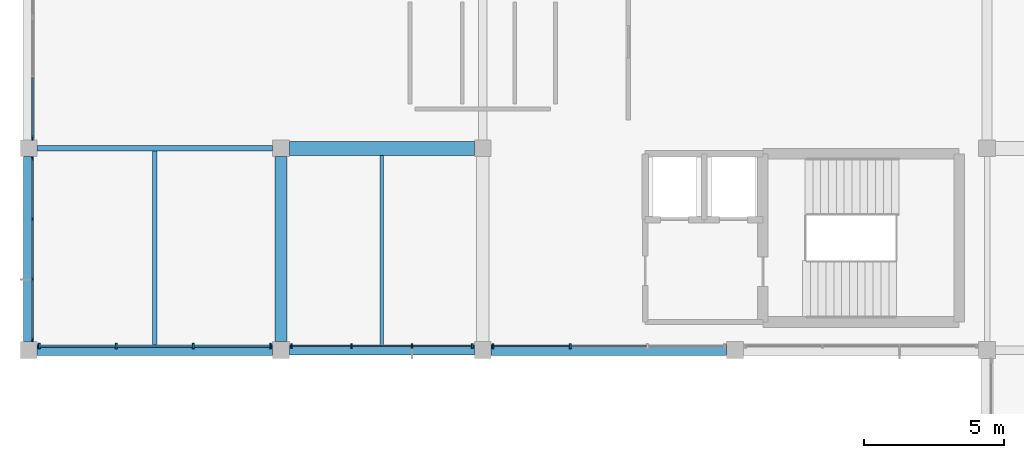
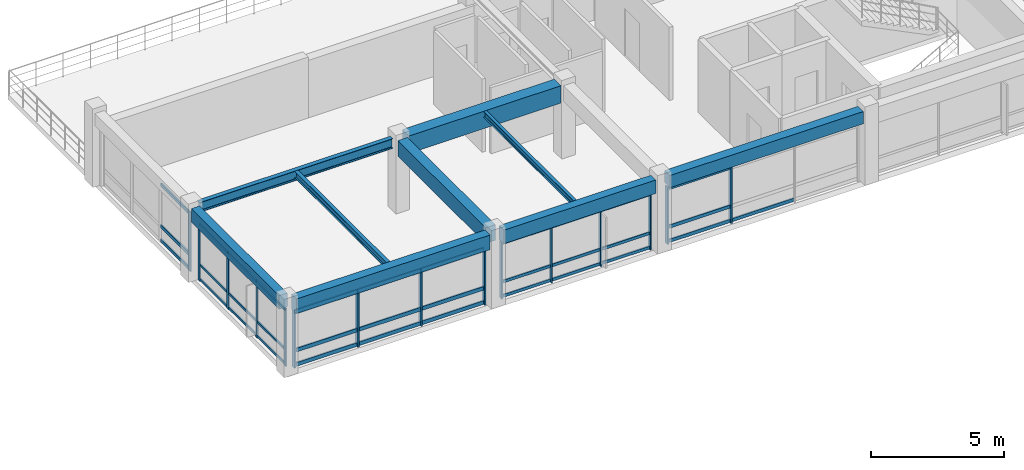
# One storey, part 2 of 12: 49 members, 9 beams, 5 elements without a shape of their own.
"""IFC4 building model written with IfcOpenShell, lengths in metres."""

from ifc_helpers import new_model, si_unit, direction, frame, origin, origin_2d, place, context, subcontext, project, spatial, rectangle, i_section, extrude, material, material_profile, profile_set, type_object, element, aggregate, save


model = new_model("IFC4")

# Units and contexts
model_context = context("Model", 3, precision=1e-05, world=origin(), true_north=direction((0.0, 1.0)))
body_context = subcontext(model_context, "Body", "Model", "MODEL_VIEW")
ifc_project = project(units=[si_unit("LENGTHUNIT", "METRE"), si_unit("AREAUNIT", "SQUARE_METRE"), si_unit("VOLUMEUNIT", "CUBIC_METRE"), si_unit("PLANEANGLEUNIT", "RADIAN"), si_unit("MASSUNIT", "GRAM", prefix="KILO")], contexts=[model_context])

# Site, building, storey
site_placement = place(None, origin())
site = spatial("IfcSite", under=ifc_project, at=site_placement, CompositionType="ELEMENT")
building_placement = place(site_placement, origin())
building = spatial("IfcBuilding", under=site, at=building_placement, Name="Clarverna Civic Hall", CompositionType="ELEMENT")
storey_placement = place(building_placement, frame((0.0, 0.0, 24.0)))
storey = spatial("IfcBuildingStorey", under=building, at=storey_placement, Name="L06", CompositionType="ELEMENT", Elevation=24.0)

# Beams
ifc_material_1 = material(Name="Concrete C35/45", Category="concrete")
ifc_material_profile_1 = material_profile(ifc_material_1, rectangle(XDim=0.5, YDim=0.800048828125, at=origin_2d()), Name="RC 500x800")
ifc_profile_set_1 = profile_set([ifc_material_profile_1], Name="Concrete C35/45")
beam_type_1 = type_object("IfcBeamType", Name="B-RC14", PredefinedType="BEAM", material=ifc_profile_set_1)
beam_1_placement = place(storey_placement, frame((122.699951171875, 102.199951171875, 2.93994140625), z_axis=(1.0, 0.0, 0.0), x_axis=(0.0, 1.0, 0.0)))
element("IfcBeam", 1, at=beam_1_placement, inside=storey, type_object=beam_type_1, Name="B-RC14-030", PredefinedType="BEAM", context=body_context, shape_type="SweptSolid", body=[
    extrude(rectangle(XDim=0.5, YDim=0.800048828125, at=origin_2d()), origin(), (0.0, 0.0, 1.0), 6.60009765625),
])
ifc_material_profile_2 = material_profile(ifc_material_1, rectangle(XDim=0.419921875, YDim=0.719970703125, at=origin_2d()), Name="RC 420x720")
ifc_profile_set_2 = profile_set([ifc_material_profile_2], Name="Concrete C35/45")
beam_type_2 = type_object("IfcBeamType", Name="B-SP1", PredefinedType="SPANDREL", material=ifc_profile_set_2)
beam_2_placement = place(storey_placement, frame((122.39990234375, 95.300048828125, 2.97998046875), z_axis=(0.0, 1.0, 0.0), x_axis=(-1.0, 0.0, 0.0)))
element("IfcBeam", 2, at=beam_2_placement, inside=storey, type_object=beam_type_2, Name="B-SP1-153", PredefinedType="SPANDREL", context=body_context, shape_type="SweptSolid", body=[
    extrude(rectangle(XDim=0.419921875, YDim=0.719970703125, at=origin_2d()), origin(), (0.0, 0.0, 1.0), 6.599853515625),
])
ifc_material_profile_3 = material_profile(ifc_material_1, rectangle(XDim=0.3798828125, YDim=0.679931640625, at=origin_2d()), Name="RC 380x680")
ifc_profile_set_3 = profile_set([ifc_material_profile_3], Name="Concrete C35/45")
beam_type_3 = type_object("IfcBeamType", Name="B-SP2", PredefinedType="SPANDREL", material=ifc_profile_set_3)
beam_3_placement = place(storey_placement, frame((113.699951171875, 95.0, 3.0), z_axis=(1.0, 0.0, 0.0), x_axis=(0.0, 1.0, 0.0)))
element("IfcBeam", 3, at=beam_3_placement, inside=storey, type_object=beam_type_3, Name="B-SP2-158", PredefinedType="SPANDREL", context=body_context, shape_type="SweptSolid", body=[
    extrude(rectangle(XDim=0.3798828125, YDim=0.679931640625, at=origin_2d()), origin(), (0.0, 0.0, 1.0), 8.400146484375),
])
ifc_material_profile_4 = material_profile(ifc_material_1, rectangle(XDim=0.360107421875, YDim=0.6201171875, at=origin_2d()), Name="RC 360x620")
ifc_profile_set_4 = profile_set([ifc_material_profile_4], Name="Concrete C35/45")
beam_type_4 = type_object("IfcBeamType", Name="B-SP3", PredefinedType="SPANDREL", material=ifc_profile_set_4)
beam_4_placement = place(storey_placement, frame((122.699951171875, 95.0, 3.030029296875), z_axis=(1.0, 0.0, 0.0), x_axis=(0.0, 1.0, 0.0)))
element("IfcBeam", 4, at=beam_4_placement, inside=storey, type_object=beam_type_4, Name="B-SP3-155", PredefinedType="SPANDREL", context=body_context, shape_type="SweptSolid", body=[
    extrude(rectangle(XDim=0.360107421875, YDim=0.6201171875, at=origin_2d()), origin(), (0.0, 0.0, 1.0), 6.60009765625),
])
beam_5_placement = place(storey_placement, frame((113.39990234375, 95.300048828125, 3.050048828125), z_axis=(0.0, 1.0, 0.0), x_axis=(-1.0, 0.0, 0.0)))
element("IfcBeam", 5, at=beam_5_placement, inside=storey, type_object=beam_type_4, Name="B-SP3-156", PredefinedType="SPANDREL", context=body_context, shape_type="SweptSolid", body=[
    extrude(rectangle(XDim=0.360107421875, YDim=0.6201171875, at=origin_2d()), origin(), (0.0, 0.0, 1.0), 6.599853515625),
])
ifc_material_profile_5 = material_profile(ifc_material_1, rectangle(XDim=0.39990234375, YDim=0.56005859375, at=origin_2d()), Name="RC 400x560")
ifc_profile_set_5 = profile_set([ifc_material_profile_5], Name="Concrete C35/45")
beam_type_5 = type_object("IfcBeamType", Name="B-SP4", PredefinedType="SPANDREL", material=ifc_profile_set_5)
beam_6_placement = place(storey_placement, frame((129.89990234375, 95.0, 3.06005859375), z_axis=(1.0, 0.0, 0.0), x_axis=(0.0, 1.0, 0.0)))
element("IfcBeam", 6, at=beam_6_placement, inside=storey, type_object=beam_type_5, Name="B-SP4-155", PredefinedType="SPANDREL", context=body_context, shape_type="SweptSolid", body=[
    extrude(rectangle(XDim=0.39990234375, YDim=0.56005859375, at=origin_2d()), origin(), (0.0, 0.0, 1.0), 8.400146484375),
])
ifc_material_2 = material(Name="Steel S355", Category="steel")
ifc_material_profile_6 = material_profile(ifc_material_2, i_section(OverallWidth=0.18994140625, OverallDepth=0.449951171875, WebThickness=0.009521484375, FlangeThickness=0.0146484375, FilletRadius=0.02099609375, at=origin_2d()), Name="IPE 450")
ifc_profile_set_6 = profile_set([ifc_material_profile_6], Name="Steel S355")
beam_type_6 = type_object("IfcBeamType", Name="B-ST13", PredefinedType="BEAM", material=ifc_profile_set_6)
beam_7_placement = place(storey_placement, frame((113.699951171875, 102.199951171875, 3.114990234375), z_axis=(1.0, 0.0, 0.0), x_axis=(0.0, 1.0, 0.0)))
element("IfcBeam", 7, at=beam_7_placement, inside=storey, type_object=beam_type_6, Name="B-ST13-023", PredefinedType="BEAM", context=body_context, shape_type="SweptSolid", body=[
    extrude(i_section(OverallWidth=0.18994140625, OverallDepth=0.449951171875, WebThickness=0.009521484375, FlangeThickness=0.0146484375, FilletRadius=0.02099609375, at=origin_2d()), origin(), (0.0, 0.0, 1.0), 8.400146484375),
])

# Curtain wall, member
ifc_material_3 = material(Name="Anodised Bronze Architectural Aluminium", Category="aluminium")
curtain_wall_type = type_object("IfcCurtainWallType", Name="CW-01", PredefinedType="USERDEFINED", material=ifc_material_3)
curtain_wall_1_placement = place(storey_placement, origin())
curtain_wall_1 = element("IfcCurtainWall", 8, at=curtain_wall_1_placement, inside=storey, type_object=curtain_wall_type, Name="CW-01-115", ObjectType="UNITISED CURTAIN WALL", PredefinedType="USERDEFINED")
ifc_material_profile_7 = material_profile(ifc_material_3, rectangle(XDim=0.06005859375, YDim=0.179931640625, at=origin_2d()), Name="BRONZE 60x180")
ifc_profile_set_7 = profile_set([ifc_material_profile_7], Name="Anodised Bronze Architectural Aluminium")
member_type_1 = type_object("IfcMemberType", Name="CWM-01", PredefinedType="MULLION", material=ifc_profile_set_7)
member_1_placement = place(storey_placement, frame((113.5400390625, 102.572998046875, 0.0), z_axis=(0.0, 0.0, 1.0), x_axis=(1.0, 0.0, 0.0)))
member_1 = element("IfcMember", 9, at=member_1_placement, type_object=member_type_1, Name="CWM-01-213", PredefinedType="MULLION", context=body_context, shape_type="SweptSolid", body=[
    extrude(rectangle(XDim=0.06005859375, YDim=0.179931640625, at=origin_2d()), origin(), (0.0, 0.0, 1.0), 2.739990234375),
])

# Curtain wall, members
curtain_wall_2_placement = place(storey_placement, origin())
curtain_wall_2 = element("IfcCurtainWall", 10, at=curtain_wall_2_placement, inside=storey, type_object=curtain_wall_type, Name="CW-01-123", ObjectType="UNITISED CURTAIN WALL", PredefinedType="USERDEFINED")
member_2_placement = place(storey_placement, frame((132.724365234375, 95.139892578125, 0.0), z_axis=(0.0, 0.0, 1.0), x_axis=(1.0, 0.0, 0.0)))
member_2 = element("IfcMember", 11, at=member_2_placement, type_object=member_type_1, Name="CWM-01-222", PredefinedType="MULLION", context=body_context, shape_type="SweptSolid", body=[
    extrude(rectangle(XDim=0.06005859375, YDim=0.179931640625, at=origin_2d()), origin(), (0.0, 0.0, 1.0), 2.6201171875),
])
member_3_placement = place(storey_placement, frame((129.972900390625, 95.139892578125, 0.0), z_axis=(0.0, 0.0, 1.0), x_axis=(1.0, 0.0, 0.0)))
member_3 = element("IfcMember", 12, at=member_3_placement, type_object=member_type_1, Name="CWM-01-223", PredefinedType="MULLION", context=body_context, shape_type="SweptSolid", body=[
    extrude(rectangle(XDim=0.06005859375, YDim=0.179931640625, at=origin_2d()), origin(), (0.0, 0.0, 1.0), 2.6201171875),
])

curtain_wall_3_placement = place(storey_placement, origin())
curtain_wall_3 = element("IfcCurtainWall", 13, at=curtain_wall_3_placement, inside=storey, type_object=curtain_wall_type, Name="CW-01-124", ObjectType="UNITISED CURTAIN WALL", PredefinedType="USERDEFINED")
ifc_material_profile_8 = material_profile(ifc_material_3, rectangle(XDim=0.06005859375, YDim=0.159912109375, at=origin_2d()), Name="BRONZE 60x160")
ifc_profile_set_8 = profile_set([ifc_material_profile_8], Name="Anodised Bronze Architectural Aluminium")
member_type_2 = type_object("IfcMemberType", Name="CWM-02", PredefinedType="MULLION", material=ifc_profile_set_8)
member_4_placement = place(storey_placement, frame((129.22705078125, 95.139892578125, 0.0), z_axis=(0.0, 0.0, 1.0), x_axis=(1.0, 0.0, 0.0)))
member_4 = element("IfcMember", 14, at=member_4_placement, type_object=member_type_2, Name="CWM-02-237", PredefinedType="MULLION", context=body_context, shape_type="SweptSolid", body=[
    extrude(rectangle(XDim=0.06005859375, YDim=0.159912109375, at=origin_2d()), origin(), (0.0, 0.0, 1.0), 2.6201171875),
])
member_5_placement = place(storey_placement, frame((127.07568359375, 95.139892578125, 0.0), z_axis=(0.0, 0.0, 1.0), x_axis=(1.0, 0.0, 0.0)))
member_5 = element("IfcMember", 15, at=member_5_placement, type_object=member_type_2, Name="CWM-02-238", PredefinedType="MULLION", context=body_context, shape_type="SweptSolid", body=[
    extrude(rectangle(XDim=0.06005859375, YDim=0.159912109375, at=origin_2d()), origin(), (0.0, 0.0, 1.0), 2.6201171875),
])
member_6_placement = place(storey_placement, frame((124.92431640625, 95.139892578125, 0.0), z_axis=(0.0, 0.0, 1.0), x_axis=(1.0, 0.0, 0.0)))
member_6 = element("IfcMember", 16, at=member_6_placement, type_object=member_type_2, Name="CWM-02-239", PredefinedType="MULLION", context=body_context, shape_type="SweptSolid", body=[
    extrude(rectangle(XDim=0.06005859375, YDim=0.159912109375, at=origin_2d()), origin(), (0.0, 0.0, 1.0), 2.6201171875),
])
member_7_placement = place(storey_placement, frame((122.77294921875, 95.139892578125, 0.0), z_axis=(0.0, 0.0, 1.0), x_axis=(1.0, 0.0, 0.0)))
member_7 = element("IfcMember", 17, at=member_7_placement, type_object=member_type_2, Name="CWM-02-240", PredefinedType="MULLION", context=body_context, shape_type="SweptSolid", body=[
    extrude(rectangle(XDim=0.06005859375, YDim=0.159912109375, at=origin_2d()), origin(), (0.0, 0.0, 1.0), 2.6201171875),
])

curtain_wall_4_placement = place(storey_placement, origin())
curtain_wall_4 = element("IfcCurtainWall", 18, at=curtain_wall_4_placement, inside=storey, type_object=curtain_wall_type, Name="CW-01-125", ObjectType="UNITISED CURTAIN WALL", PredefinedType="USERDEFINED")
ifc_material_profile_9 = material_profile(ifc_material_3, rectangle(XDim=0.06494140625, YDim=0.199951171875, at=origin_2d()), Name="BRONZE 65x200")
ifc_profile_set_9 = profile_set([ifc_material_profile_9], Name="Anodised Bronze Architectural Aluminium")
member_type_3 = type_object("IfcMemberType", Name="CWM-03", PredefinedType="MULLION", material=ifc_profile_set_9)
member_8_placement = place(storey_placement, frame((122.027099609375, 95.139892578125, 0.0), z_axis=(0.0, 0.0, 1.0), x_axis=(1.0, 0.0, 0.0)))
member_8 = element("IfcMember", 19, at=member_8_placement, type_object=member_type_3, Name="CWM-03-225", PredefinedType="MULLION", context=body_context, shape_type="SweptSolid", body=[
    extrude(rectangle(XDim=0.06494140625, YDim=0.199951171875, at=origin_2d()), origin(), (0.0, 0.0, 1.0), 2.6201171875),
])
member_9_placement = place(storey_placement, frame((119.275634765625, 95.139892578125, 0.0), z_axis=(0.0, 0.0, 1.0), x_axis=(1.0, 0.0, 0.0)))
member_9 = element("IfcMember", 20, at=member_9_placement, type_object=member_type_3, Name="CWM-03-226", PredefinedType="MULLION", context=body_context, shape_type="SweptSolid", body=[
    extrude(rectangle(XDim=0.06494140625, YDim=0.199951171875, at=origin_2d()), origin(), (0.0, 0.0, 1.0), 2.6201171875),
])
member_10_placement = place(storey_placement, frame((116.5244140625, 95.139892578125, 0.0), z_axis=(0.0, 0.0, 1.0), x_axis=(1.0, 0.0, 0.0)))
member_10 = element("IfcMember", 21, at=member_10_placement, type_object=member_type_3, Name="CWM-03-227", PredefinedType="MULLION", context=body_context, shape_type="SweptSolid", body=[
    extrude(rectangle(XDim=0.06494140625, YDim=0.199951171875, at=origin_2d()), origin(), (0.0, 0.0, 1.0), 2.6201171875),
])
member_11_placement = place(storey_placement, frame((113.77294921875, 95.139892578125, 0.0), z_axis=(0.0, 0.0, 1.0), x_axis=(1.0, 0.0, 0.0)))
member_11 = element("IfcMember", 22, at=member_11_placement, type_object=member_type_3, Name="CWM-03-228", PredefinedType="MULLION", context=body_context, shape_type="SweptSolid", body=[
    extrude(rectangle(XDim=0.06494140625, YDim=0.199951171875, at=origin_2d()), origin(), (0.0, 0.0, 1.0), 2.6201171875),
])

curtain_wall_5_placement = place(storey_placement, origin())
curtain_wall_5 = element("IfcCurtainWall", 23, at=curtain_wall_5_placement, inside=storey, type_object=curtain_wall_type, Name="CW-01-114", ObjectType="UNITISED CURTAIN WALL", PredefinedType="USERDEFINED")
ifc_material_profile_10 = material_profile(ifc_material_3, rectangle(XDim=0.054931640625, YDim=0.139892578125, at=origin_2d()), Name="BRONZE 55x140")
ifc_profile_set_10 = profile_set([ifc_material_profile_10], Name="Anodised Bronze Architectural Aluminium")
member_type_4 = type_object("IfcMemberType", Name="CWM-04", PredefinedType="MULLION", material=ifc_profile_set_10)
member_12_placement = place(storey_placement, frame((113.5400390625, 95.373046875, 0.0), z_axis=(0.0, 0.0, 1.0), x_axis=(1.0, 0.0, 0.0)))
member_12 = element("IfcMember", 24, at=member_12_placement, type_object=member_type_4, Name="CWM-04-225", PredefinedType="MULLION", context=body_context, shape_type="SweptSolid", body=[
    extrude(rectangle(XDim=0.054931640625, YDim=0.139892578125, at=origin_2d()), origin(), (0.0, 0.0, 1.0), 2.659912109375),
])
member_13_placement = place(storey_placement, frame((113.5400390625, 97.5244140625, 0.0), z_axis=(0.0, 0.0, 1.0), x_axis=(1.0, 0.0, 0.0)))
member_13 = element("IfcMember", 25, at=member_13_placement, type_object=member_type_4, Name="CWM-04-226", PredefinedType="MULLION", context=body_context, shape_type="SweptSolid", body=[
    extrude(rectangle(XDim=0.054931640625, YDim=0.139892578125, at=origin_2d()), origin(), (0.0, 0.0, 1.0), 2.659912109375),
])
member_14_placement = place(storey_placement, frame((113.5400390625, 99.67578125, 0.0), z_axis=(0.0, 0.0, 1.0), x_axis=(1.0, 0.0, 0.0)))
member_14 = element("IfcMember", 26, at=member_14_placement, type_object=member_type_4, Name="CWM-04-227", PredefinedType="MULLION", context=body_context, shape_type="SweptSolid", body=[
    extrude(rectangle(XDim=0.054931640625, YDim=0.139892578125, at=origin_2d()), origin(), (0.0, 0.0, 1.0), 2.659912109375),
])
member_15_placement = place(storey_placement, frame((113.5400390625, 101.826904296875, 0.0), z_axis=(0.0, 0.0, 1.0), x_axis=(1.0, 0.0, 0.0)))
member_15 = element("IfcMember", 27, at=member_15_placement, type_object=member_type_4, Name="CWM-04-228", PredefinedType="MULLION", context=body_context, shape_type="SweptSolid", body=[
    extrude(rectangle(XDim=0.054931640625, YDim=0.139892578125, at=origin_2d()), origin(), (0.0, 0.0, 1.0), 2.659912109375),
])

# Member
ifc_material_profile_11 = material_profile(ifc_material_3, rectangle(XDim=0.06005859375, YDim=0.14990234375, at=origin_2d()), Name="BRONZE 60x150")
ifc_profile_set_11 = profile_set([ifc_material_profile_11], Name="Anodised Bronze Architectural Aluminium")
member_type_5 = type_object("IfcMemberType", Name="CWT-01", PredefinedType="USERDEFINED", material=ifc_profile_set_11)
member_16_placement = place(storey_placement, frame((113.5400390625, 102.587890625, 0.094970703125), z_axis=(0.0, 1.0, 0.0), x_axis=(-1.0, 0.0, 0.0)))
member_16 = element("IfcMember", 28, at=member_16_placement, type_object=member_type_5, Name="CWT-01-454", ObjectType="TRANSOM", PredefinedType="USERDEFINED", context=body_context, shape_type="SweptSolid", body=[
    extrude(rectangle(XDim=0.06005859375, YDim=0.14990234375, at=origin_2d()), origin(), (0.0, 0.0, 1.0), 2.121337890625),
])

member_17_placement = place(storey_placement, frame((113.5400390625, 102.587890625, 0.75), z_axis=(0.0, 1.0, 0.0), x_axis=(-1.0, 0.0, 0.0)))
member_17 = element("IfcMember", 29, at=member_17_placement, type_object=member_type_5, Name="CWT-01-455", ObjectType="TRANSOM", PredefinedType="USERDEFINED", context=body_context, shape_type="SweptSolid", body=[
    extrude(rectangle(XDim=0.06005859375, YDim=0.14990234375, at=origin_2d()), origin(), (0.0, 0.0, 1.0), 2.121337890625),
])

member_18_placement = place(storey_placement, frame((113.5400390625, 102.587890625, 2.64501953125), z_axis=(0.0, 1.0, 0.0), x_axis=(-1.0, 0.0, 0.0)))
member_18 = element("IfcMember", 30, at=member_18_placement, type_object=member_type_5, Name="CWT-01-456", ObjectType="TRANSOM", PredefinedType="USERDEFINED", context=body_context, shape_type="SweptSolid", body=[
    extrude(rectangle(XDim=0.06005859375, YDim=0.14990234375, at=origin_2d()), origin(), (0.0, 0.0, 1.0), 2.121337890625),
])

aggregate(curtain_wall_1, [member_1, member_16, member_17, member_18])

member_19_placement = place(storey_placement, frame((135.460693359375, 95.139892578125, 0.094970703125), z_axis=(-1.0, 0.0, 0.0), x_axis=(0.0, -1.0, 0.0)))
member_19 = element("IfcMember", 31, at=member_19_placement, type_object=member_type_5, Name="CWT-01-472", ObjectType="TRANSOM", PredefinedType="USERDEFINED", context=body_context, shape_type="SweptSolid", body=[
    extrude(rectangle(XDim=0.06005859375, YDim=0.14990234375, at=origin_2d()), origin(), (0.0, 0.0, 1.0), 2.721435546875),
])

member_20_placement = place(storey_placement, frame((132.709228515625, 95.139892578125, 0.094970703125), z_axis=(-1.0, 0.0, 0.0), x_axis=(0.0, -1.0, 0.0)))
member_20 = element("IfcMember", 32, at=member_20_placement, type_object=member_type_5, Name="CWT-01-475", ObjectType="TRANSOM", PredefinedType="USERDEFINED", context=body_context, shape_type="SweptSolid", body=[
    extrude(rectangle(XDim=0.06005859375, YDim=0.14990234375, at=origin_2d()), origin(), (0.0, 0.0, 1.0), 2.72119140625),
])

member_21_placement = place(storey_placement, frame((132.709228515625, 95.139892578125, 0.75), z_axis=(-1.0, 0.0, 0.0), x_axis=(0.0, -1.0, 0.0)))
member_21 = element("IfcMember", 33, at=member_21_placement, type_object=member_type_5, Name="CWT-01-476", ObjectType="TRANSOM", PredefinedType="USERDEFINED", context=body_context, shape_type="SweptSolid", body=[
    extrude(rectangle(XDim=0.06005859375, YDim=0.14990234375, at=origin_2d()), origin(), (0.0, 0.0, 1.0), 2.72119140625),
])

member_22_placement = place(storey_placement, frame((132.709228515625, 95.139892578125, 2.52490234375), z_axis=(-1.0, 0.0, 0.0), x_axis=(0.0, -1.0, 0.0)))
member_22 = element("IfcMember", 34, at=member_22_placement, type_object=member_type_5, Name="CWT-01-477", ObjectType="TRANSOM", PredefinedType="USERDEFINED", context=body_context, shape_type="SweptSolid", body=[
    extrude(rectangle(XDim=0.06005859375, YDim=0.14990234375, at=origin_2d()), origin(), (0.0, 0.0, 1.0), 2.72119140625),
])

aggregate(curtain_wall_2, [member_2, member_3, member_19, member_20, member_21, member_22])

ifc_material_profile_12 = material_profile(ifc_material_3, rectangle(XDim=0.06005859375, YDim=0.1298828125, at=origin_2d()), Name="BRONZE 60x130")
ifc_profile_set_12 = profile_set([ifc_material_profile_12], Name="Anodised Bronze Architectural Aluminium")
member_type_6 = type_object("IfcMemberType", Name="CWT-02", PredefinedType="USERDEFINED", material=ifc_profile_set_12)
member_23_placement = place(storey_placement, frame((129.2119140625, 95.139892578125, 0.094970703125), z_axis=(-1.0, 0.0, 0.0), x_axis=(0.0, -1.0, 0.0)))
member_23 = element("IfcMember", 35, at=member_23_placement, type_object=member_type_6, Name="CWT-02-505", ObjectType="TRANSOM", PredefinedType="USERDEFINED", context=body_context, shape_type="SweptSolid", body=[
    extrude(rectangle(XDim=0.06005859375, YDim=0.1298828125, at=origin_2d()), origin(), (0.0, 0.0, 1.0), 2.12109375),
])

member_24_placement = place(storey_placement, frame((129.2119140625, 95.139892578125, 0.75), z_axis=(-1.0, 0.0, 0.0), x_axis=(0.0, -1.0, 0.0)))
member_24 = element("IfcMember", 36, at=member_24_placement, type_object=member_type_6, Name="CWT-02-506", ObjectType="TRANSOM", PredefinedType="USERDEFINED", context=body_context, shape_type="SweptSolid", body=[
    extrude(rectangle(XDim=0.06005859375, YDim=0.1298828125, at=origin_2d()), origin(), (0.0, 0.0, 1.0), 2.12109375),
])

member_25_placement = place(storey_placement, frame((129.2119140625, 95.139892578125, 2.52490234375), z_axis=(-1.0, 0.0, 0.0), x_axis=(0.0, -1.0, 0.0)))
member_25 = element("IfcMember", 37, at=member_25_placement, type_object=member_type_6, Name="CWT-02-507", ObjectType="TRANSOM", PredefinedType="USERDEFINED", context=body_context, shape_type="SweptSolid", body=[
    extrude(rectangle(XDim=0.06005859375, YDim=0.1298828125, at=origin_2d()), origin(), (0.0, 0.0, 1.0), 2.12109375),
])

member_26_placement = place(storey_placement, frame((127.060791015625, 95.139892578125, 0.094970703125), z_axis=(-1.0, 0.0, 0.0), x_axis=(0.0, -1.0, 0.0)))
member_26 = element("IfcMember", 38, at=member_26_placement, type_object=member_type_6, Name="CWT-02-508", ObjectType="TRANSOM", PredefinedType="USERDEFINED", context=body_context, shape_type="SweptSolid", body=[
    extrude(rectangle(XDim=0.06005859375, YDim=0.1298828125, at=origin_2d()), origin(), (0.0, 0.0, 1.0), 2.12158203125),
])

member_27_placement = place(storey_placement, frame((127.060791015625, 95.139892578125, 0.75), z_axis=(-1.0, 0.0, 0.0), x_axis=(0.0, -1.0, 0.0)))
member_27 = element("IfcMember", 39, at=member_27_placement, type_object=member_type_6, Name="CWT-02-509", ObjectType="TRANSOM", PredefinedType="USERDEFINED", context=body_context, shape_type="SweptSolid", body=[
    extrude(rectangle(XDim=0.06005859375, YDim=0.1298828125, at=origin_2d()), origin(), (0.0, 0.0, 1.0), 2.12158203125),
])

member_28_placement = place(storey_placement, frame((127.060791015625, 95.139892578125, 2.52490234375), z_axis=(-1.0, 0.0, 0.0), x_axis=(0.0, -1.0, 0.0)))
member_28 = element("IfcMember", 40, at=member_28_placement, type_object=member_type_6, Name="CWT-02-510", ObjectType="TRANSOM", PredefinedType="USERDEFINED", context=body_context, shape_type="SweptSolid", body=[
    extrude(rectangle(XDim=0.06005859375, YDim=0.1298828125, at=origin_2d()), origin(), (0.0, 0.0, 1.0), 2.12158203125),
])

member_29_placement = place(storey_placement, frame((124.9091796875, 95.139892578125, 0.094970703125), z_axis=(-1.0, 0.0, 0.0), x_axis=(0.0, -1.0, 0.0)))
member_29 = element("IfcMember", 41, at=member_29_placement, type_object=member_type_6, Name="CWT-02-511", ObjectType="TRANSOM", PredefinedType="USERDEFINED", context=body_context, shape_type="SweptSolid", body=[
    extrude(rectangle(XDim=0.06005859375, YDim=0.1298828125, at=origin_2d()), origin(), (0.0, 0.0, 1.0), 2.12109375),
])

member_30_placement = place(storey_placement, frame((124.9091796875, 95.139892578125, 0.75), z_axis=(-1.0, 0.0, 0.0), x_axis=(0.0, -1.0, 0.0)))
member_30 = element("IfcMember", 42, at=member_30_placement, type_object=member_type_6, Name="CWT-02-512", ObjectType="TRANSOM", PredefinedType="USERDEFINED", context=body_context, shape_type="SweptSolid", body=[
    extrude(rectangle(XDim=0.06005859375, YDim=0.1298828125, at=origin_2d()), origin(), (0.0, 0.0, 1.0), 2.12109375),
])

member_31_placement = place(storey_placement, frame((124.9091796875, 95.139892578125, 2.52490234375), z_axis=(-1.0, 0.0, 0.0), x_axis=(0.0, -1.0, 0.0)))
member_31 = element("IfcMember", 43, at=member_31_placement, type_object=member_type_6, Name="CWT-02-513", ObjectType="TRANSOM", PredefinedType="USERDEFINED", context=body_context, shape_type="SweptSolid", body=[
    extrude(rectangle(XDim=0.06005859375, YDim=0.1298828125, at=origin_2d()), origin(), (0.0, 0.0, 1.0), 2.12109375),
])

aggregate(curtain_wall_3, [member_4, member_5, member_6, member_7, member_23, member_24, member_25, member_26, member_27, member_28, member_29, member_30, member_31])

ifc_material_profile_13 = material_profile(ifc_material_3, rectangle(XDim=0.06494140625, YDim=0.169921875, at=origin_2d()), Name="BRONZE 65x170")
ifc_profile_set_13 = profile_set([ifc_material_profile_13], Name="Anodised Bronze Architectural Aluminium")
member_type_7 = type_object("IfcMemberType", Name="CWT-03", PredefinedType="USERDEFINED", material=ifc_profile_set_13)
member_32_placement = place(storey_placement, frame((122.011962890625, 95.139892578125, 0.094970703125), z_axis=(-1.0, 0.0, 0.0), x_axis=(0.0, -1.0, 0.0)))
member_32 = element("IfcMember", 44, at=member_32_placement, type_object=member_type_7, Name="CWT-03-478", ObjectType="TRANSOM", PredefinedType="USERDEFINED", context=body_context, shape_type="SweptSolid", body=[
    extrude(rectangle(XDim=0.06494140625, YDim=0.169921875, at=origin_2d()), origin(), (0.0, 0.0, 1.0), 2.72119140625),
])

member_33_placement = place(storey_placement, frame((122.011962890625, 95.139892578125, 0.75), z_axis=(-1.0, 0.0, 0.0), x_axis=(0.0, -1.0, 0.0)))
member_33 = element("IfcMember", 45, at=member_33_placement, type_object=member_type_7, Name="CWT-03-479", ObjectType="TRANSOM", PredefinedType="USERDEFINED", context=body_context, shape_type="SweptSolid", body=[
    extrude(rectangle(XDim=0.06494140625, YDim=0.169921875, at=origin_2d()), origin(), (0.0, 0.0, 1.0), 2.72119140625),
])

member_34_placement = place(storey_placement, frame((122.011962890625, 95.139892578125, 2.52490234375), z_axis=(-1.0, 0.0, 0.0), x_axis=(0.0, -1.0, 0.0)))
member_34 = element("IfcMember", 46, at=member_34_placement, type_object=member_type_7, Name="CWT-03-480", ObjectType="TRANSOM", PredefinedType="USERDEFINED", context=body_context, shape_type="SweptSolid", body=[
    extrude(rectangle(XDim=0.06494140625, YDim=0.169921875, at=origin_2d()), origin(), (0.0, 0.0, 1.0), 2.72119140625),
])

member_35_placement = place(storey_placement, frame((119.2607421875, 95.139892578125, 0.094970703125), z_axis=(-1.0, 0.0, 0.0), x_axis=(0.0, -1.0, 0.0)))
member_35 = element("IfcMember", 47, at=member_35_placement, type_object=member_type_7, Name="CWT-03-481", ObjectType="TRANSOM", PredefinedType="USERDEFINED", context=body_context, shape_type="SweptSolid", body=[
    extrude(rectangle(XDim=0.06494140625, YDim=0.169921875, at=origin_2d()), origin(), (0.0, 0.0, 1.0), 2.721435546875),
])

member_36_placement = place(storey_placement, frame((119.2607421875, 95.139892578125, 0.75), z_axis=(-1.0, 0.0, 0.0), x_axis=(0.0, -1.0, 0.0)))
member_36 = element("IfcMember", 48, at=member_36_placement, type_object=member_type_7, Name="CWT-03-482", ObjectType="TRANSOM", PredefinedType="USERDEFINED", context=body_context, shape_type="SweptSolid", body=[
    extrude(rectangle(XDim=0.06494140625, YDim=0.169921875, at=origin_2d()), origin(), (0.0, 0.0, 1.0), 2.721435546875),
])

member_37_placement = place(storey_placement, frame((119.2607421875, 95.139892578125, 2.52490234375), z_axis=(-1.0, 0.0, 0.0), x_axis=(0.0, -1.0, 0.0)))
member_37 = element("IfcMember", 49, at=member_37_placement, type_object=member_type_7, Name="CWT-03-483", ObjectType="TRANSOM", PredefinedType="USERDEFINED", context=body_context, shape_type="SweptSolid", body=[
    extrude(rectangle(XDim=0.06494140625, YDim=0.169921875, at=origin_2d()), origin(), (0.0, 0.0, 1.0), 2.721435546875),
])

member_38_placement = place(storey_placement, frame((116.50927734375, 95.139892578125, 0.094970703125), z_axis=(-1.0, 0.0, 0.0), x_axis=(0.0, -1.0, 0.0)))
member_38 = element("IfcMember", 50, at=member_38_placement, type_object=member_type_7, Name="CWT-03-484", ObjectType="TRANSOM", PredefinedType="USERDEFINED", context=body_context, shape_type="SweptSolid", body=[
    extrude(rectangle(XDim=0.06494140625, YDim=0.169921875, at=origin_2d()), origin(), (0.0, 0.0, 1.0), 2.72119140625),
])

member_39_placement = place(storey_placement, frame((116.50927734375, 95.139892578125, 0.75), z_axis=(-1.0, 0.0, 0.0), x_axis=(0.0, -1.0, 0.0)))
member_39 = element("IfcMember", 51, at=member_39_placement, type_object=member_type_7, Name="CWT-03-485", ObjectType="TRANSOM", PredefinedType="USERDEFINED", context=body_context, shape_type="SweptSolid", body=[
    extrude(rectangle(XDim=0.06494140625, YDim=0.169921875, at=origin_2d()), origin(), (0.0, 0.0, 1.0), 2.72119140625),
])

member_40_placement = place(storey_placement, frame((116.50927734375, 95.139892578125, 2.52490234375), z_axis=(-1.0, 0.0, 0.0), x_axis=(0.0, -1.0, 0.0)))
member_40 = element("IfcMember", 52, at=member_40_placement, type_object=member_type_7, Name="CWT-03-486", ObjectType="TRANSOM", PredefinedType="USERDEFINED", context=body_context, shape_type="SweptSolid", body=[
    extrude(rectangle(XDim=0.06494140625, YDim=0.169921875, at=origin_2d()), origin(), (0.0, 0.0, 1.0), 2.72119140625),
])

aggregate(curtain_wall_4, [member_8, member_9, member_10, member_11, member_32, member_33, member_34, member_35, member_36, member_37, member_38, member_39, member_40])

ifc_material_profile_14 = material_profile(ifc_material_3, rectangle(XDim=0.054931640625, YDim=0.110107421875, at=origin_2d()), Name="BRONZE 55x110")
ifc_profile_set_14 = profile_set([ifc_material_profile_14], Name="Anodised Bronze Architectural Aluminium")
member_type_8 = type_object("IfcMemberType", Name="CWT-04", PredefinedType="USERDEFINED", material=ifc_profile_set_14)
member_41_placement = place(storey_placement, frame((113.5400390625, 95.387939453125, 0.094970703125), z_axis=(0.0, 1.0, 0.0), x_axis=(-1.0, 0.0, 0.0)))
member_41 = element("IfcMember", 53, at=member_41_placement, type_object=member_type_8, Name="CWT-04-478", ObjectType="TRANSOM", PredefinedType="USERDEFINED", context=body_context, shape_type="SweptSolid", body=[
    extrude(rectangle(XDim=0.054931640625, YDim=0.110107421875, at=origin_2d()), origin(), (0.0, 0.0, 1.0), 2.121337890625),
])

member_42_placement = place(storey_placement, frame((113.5400390625, 95.387939453125, 0.75), z_axis=(0.0, 1.0, 0.0), x_axis=(-1.0, 0.0, 0.0)))
member_42 = element("IfcMember", 54, at=member_42_placement, type_object=member_type_8, Name="CWT-04-479", ObjectType="TRANSOM", PredefinedType="USERDEFINED", context=body_context, shape_type="SweptSolid", body=[
    extrude(rectangle(XDim=0.054931640625, YDim=0.110107421875, at=origin_2d()), origin(), (0.0, 0.0, 1.0), 2.121337890625),
])

member_43_placement = place(storey_placement, frame((113.5400390625, 95.387939453125, 2.56494140625), z_axis=(0.0, 1.0, 0.0), x_axis=(-1.0, 0.0, 0.0)))
member_43 = element("IfcMember", 55, at=member_43_placement, type_object=member_type_8, Name="CWT-04-480", ObjectType="TRANSOM", PredefinedType="USERDEFINED", context=body_context, shape_type="SweptSolid", body=[
    extrude(rectangle(XDim=0.054931640625, YDim=0.110107421875, at=origin_2d()), origin(), (0.0, 0.0, 1.0), 2.121337890625),
])

member_44_placement = place(storey_placement, frame((113.5400390625, 97.539306640625, 0.094970703125), z_axis=(0.0, 1.0, 0.0), x_axis=(-1.0, 0.0, 0.0)))
member_44 = element("IfcMember", 56, at=member_44_placement, type_object=member_type_8, Name="CWT-04-481", ObjectType="TRANSOM", PredefinedType="USERDEFINED", context=body_context, shape_type="SweptSolid", body=[
    extrude(rectangle(XDim=0.054931640625, YDim=0.110107421875, at=origin_2d()), origin(), (0.0, 0.0, 1.0), 2.121337890625),
])

member_45_placement = place(storey_placement, frame((113.5400390625, 97.539306640625, 0.75), z_axis=(0.0, 1.0, 0.0), x_axis=(-1.0, 0.0, 0.0)))
member_45 = element("IfcMember", 57, at=member_45_placement, type_object=member_type_8, Name="CWT-04-482", ObjectType="TRANSOM", PredefinedType="USERDEFINED", context=body_context, shape_type="SweptSolid", body=[
    extrude(rectangle(XDim=0.054931640625, YDim=0.110107421875, at=origin_2d()), origin(), (0.0, 0.0, 1.0), 2.121337890625),
])

member_46_placement = place(storey_placement, frame((113.5400390625, 97.539306640625, 2.56494140625), z_axis=(0.0, 1.0, 0.0), x_axis=(-1.0, 0.0, 0.0)))
member_46 = element("IfcMember", 58, at=member_46_placement, type_object=member_type_8, Name="CWT-04-483", ObjectType="TRANSOM", PredefinedType="USERDEFINED", context=body_context, shape_type="SweptSolid", body=[
    extrude(rectangle(XDim=0.054931640625, YDim=0.110107421875, at=origin_2d()), origin(), (0.0, 0.0, 1.0), 2.121337890625),
])

member_47_placement = place(storey_placement, frame((113.5400390625, 99.690673828125, 0.094970703125), z_axis=(0.0, 1.0, 0.0), x_axis=(-1.0, 0.0, 0.0)))
member_47 = element("IfcMember", 59, at=member_47_placement, type_object=member_type_8, Name="CWT-04-484", ObjectType="TRANSOM", PredefinedType="USERDEFINED", context=body_context, shape_type="SweptSolid", body=[
    extrude(rectangle(XDim=0.054931640625, YDim=0.110107421875, at=origin_2d()), origin(), (0.0, 0.0, 1.0), 2.121337890625),
])

member_48_placement = place(storey_placement, frame((113.5400390625, 99.690673828125, 0.75), z_axis=(0.0, 1.0, 0.0), x_axis=(-1.0, 0.0, 0.0)))
member_48 = element("IfcMember", 60, at=member_48_placement, type_object=member_type_8, Name="CWT-04-485", ObjectType="TRANSOM", PredefinedType="USERDEFINED", context=body_context, shape_type="SweptSolid", body=[
    extrude(rectangle(XDim=0.054931640625, YDim=0.110107421875, at=origin_2d()), origin(), (0.0, 0.0, 1.0), 2.121337890625),
])

member_49_placement = place(storey_placement, frame((113.5400390625, 99.690673828125, 2.56494140625), z_axis=(0.0, 1.0, 0.0), x_axis=(-1.0, 0.0, 0.0)))
member_49 = element("IfcMember", 61, at=member_49_placement, type_object=member_type_8, Name="CWT-04-486", ObjectType="TRANSOM", PredefinedType="USERDEFINED", context=body_context, shape_type="SweptSolid", body=[
    extrude(rectangle(XDim=0.054931640625, YDim=0.110107421875, at=origin_2d()), origin(), (0.0, 0.0, 1.0), 2.121337890625),
])

aggregate(curtain_wall_5, [member_12, member_13, member_14, member_15, member_41, member_42, member_43, member_44, member_45, member_46, member_47, member_48, member_49])

# Beams
ifc_material_profile_15 = material_profile(ifc_material_2, i_section(OverallWidth=0.14990234375, OverallDepth=0.300048828125, WebThickness=0.007080078125, FlangeThickness=0.0107421875, FilletRadius=0.014892578125, at=origin_2d()), Name="IPE 300")
ifc_profile_set_15 = profile_set([ifc_material_profile_15], Name="Steel S355")
beam_type_7 = type_object("IfcBeamType", Name="J-ST3", PredefinedType="JOIST", material=ifc_profile_set_15)
beam_8_placement = place(storey_placement, frame((117.89990234375, 95.18994140625, 3.18994140625), z_axis=(0.0, 1.0, 0.0), x_axis=(-1.0, 0.0, 0.0)))
element("IfcBeam", 62, at=beam_8_placement, inside=storey, type_object=beam_type_7, Name="J-ST3-073", PredefinedType="JOIST", context=body_context, shape_type="SweptSolid", body=[
    extrude(i_section(OverallWidth=0.14990234375, OverallDepth=0.300048828125, WebThickness=0.007080078125, FlangeThickness=0.0107421875, FilletRadius=0.014892578125, at=origin_2d()), origin(), (0.0, 0.0, 1.0), 6.9150390625),
])
ifc_material_profile_16 = material_profile(ifc_material_2, i_section(OverallWidth=0.135009765625, OverallDepth=0.27001953125, WebThickness=0.006591796875, FlangeThickness=0.01025390625, FilletRadius=0.014892578125, at=origin_2d()), Name="IPE 270")
ifc_profile_set_16 = profile_set([ifc_material_profile_16], Name="Steel S355")
beam_type_8 = type_object("IfcBeamType", Name="J-ST4", PredefinedType="JOIST", material=ifc_profile_set_16)
beam_9_placement = place(storey_placement, frame((126.0, 95.179931640625, 3.205078125), z_axis=(0.0, 1.0, 0.0), x_axis=(-1.0, 0.0, 0.0)))
element("IfcBeam", 63, at=beam_9_placement, inside=storey, type_object=beam_type_8, Name="J-ST4-076", PredefinedType="JOIST", context=body_context, shape_type="SweptSolid", body=[
    extrude(i_section(OverallWidth=0.135009765625, OverallDepth=0.27001953125, WebThickness=0.006591796875, FlangeThickness=0.01025390625, FilletRadius=0.014892578125, at=origin_2d()), origin(), (0.0, 0.0, 1.0), 6.77001953125),
])

save(model, "model.ifc")
